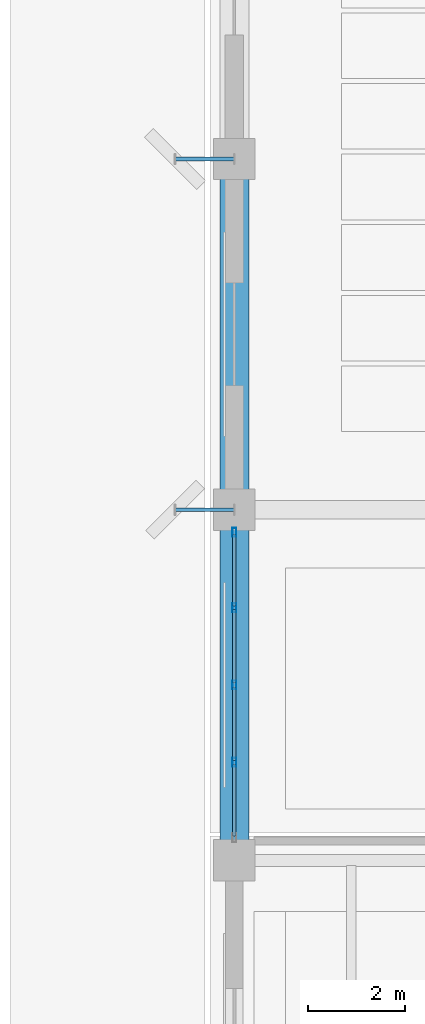
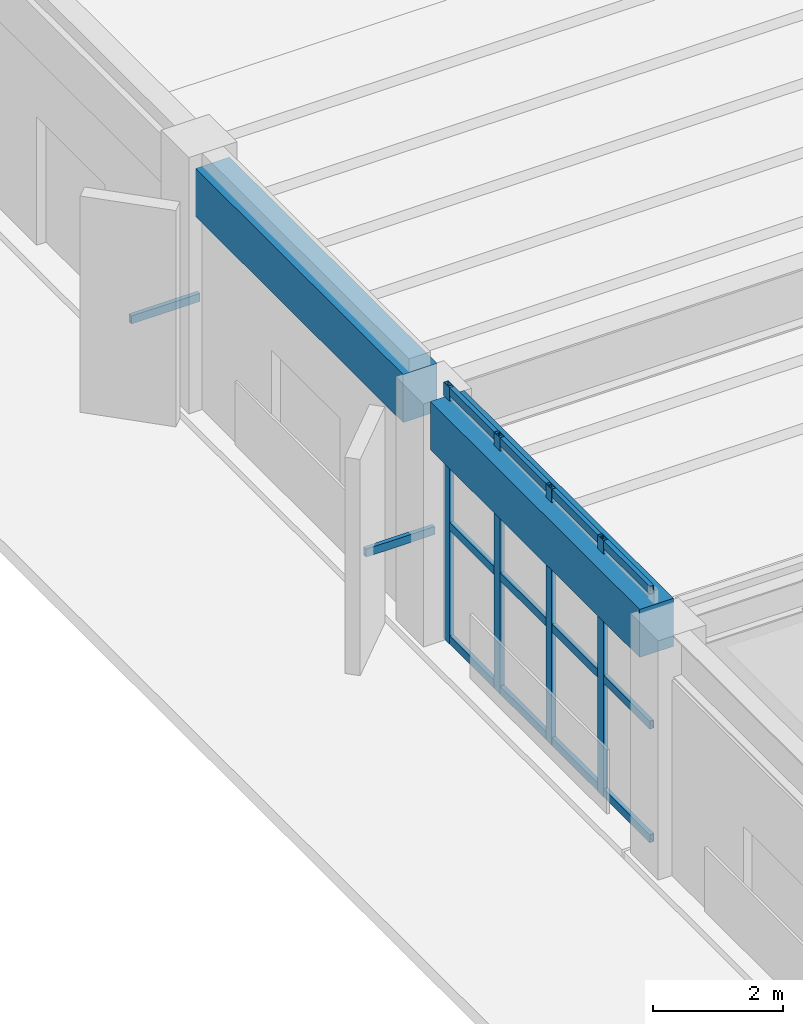
# One storey, part 14 of 39: 18 members, 2 beams, 1 element without a shape of its own.
"""IFC4 building model written with IfcOpenShell, lengths in metres."""

from ifc_helpers import new_model, si_unit, direction, frame, origin, origin_2d, place, context, subcontext, project, spatial, rectangle, hollow_rectangle, extrude, material, layer, layer_set, material_profile, profile_set, type_object, element, aggregate, save


model = new_model("IFC4")

# Units and contexts
model_context = context("Model", 3, precision=1e-05, world=origin(), true_north=direction((0.0, 1.0)))
body_context = subcontext(model_context, "Body", "Model", "MODEL_VIEW")
ifc_project = project(units=[si_unit("LENGTHUNIT", "METRE"), si_unit("AREAUNIT", "SQUARE_METRE"), si_unit("VOLUMEUNIT", "CUBIC_METRE"), si_unit("PLANEANGLEUNIT", "RADIAN"), si_unit("MASSUNIT", "GRAM", prefix="KILO")], contexts=[model_context])

# Site, building, storey
site_placement = place(None, origin())
site = spatial("IfcSite", under=ifc_project, at=site_placement, CompositionType="ELEMENT")
building_placement = place(site_placement, origin())
building = spatial("IfcBuilding", under=site, at=building_placement, Name="Kandorven Conservatory and Botanical Research Centre", CompositionType="ELEMENT")
storey_placement = place(building_placement, origin())
storey = spatial("IfcBuildingStorey", under=building, at=storey_placement, Name="L00", CompositionType="ELEMENT", Elevation=0.0)

# Beams
ifc_material_1 = material(Name="Concrete C40/50 (M50)", Category="concrete")
ifc_material_profile_1 = material_profile(ifc_material_1, rectangle(XDim=0.60009765625, YDim=0.89990234375, at=origin_2d()))
ifc_profile_set_1 = profile_set([ifc_material_profile_1], Name="Concrete C40/50 (M50)")
beam_type = type_object("IfcBeamType", Name="Beam_CG-03", PredefinedType="SPANDREL", material=ifc_profile_set_1)
beam_1_placement = place(storey_placement, frame((6.0, 35.159912109375, 4.10009765625), z_axis=(0.0, 1.0, 0.0), x_axis=(-1.0, 0.0, 0.0)))
element("IfcBeam", 1, at=beam_1_placement, inside=storey, type_object=beam_type, Name="Auditorium longitudinal edge beam CG-03 L00", PredefinedType="SPANDREL", context=body_context, shape_type="SweptSolid", body=[
    extrude(rectangle(XDim=0.60009765625, YDim=0.89990234375, at=origin_2d()), origin(), (0.0, 0.0, 1.0), 6.425048828125),
])
beam_2_placement = place(storey_placement, frame((6.0, 42.4150390625, 4.10009765625), z_axis=(0.0, 1.0, 0.0), x_axis=(-1.0, 0.0, 0.0)))
element("IfcBeam", 2, at=beam_2_placement, inside=storey, type_object=beam_type, Name="Auditorium longitudinal edge beam CG-03 L00", PredefinedType="SPANDREL", context=body_context, shape_type="SweptSolid", body=[
    extrude(rectangle(XDim=0.60009765625, YDim=0.89990234375, at=origin_2d()), origin(), (0.0, 0.0, 1.0), 6.369873046875),
])

# Curtain wall, members
ifc_material_2 = material(Name="Bronze anodised thermally broken aluminium", Category="aluminium")
ifc_layer = layer(ifc_material_2, 0.179931640625)
ifc_layer_set = layer_set([ifc_layer], Name="Bronze anodised thermally broken aluminium")
curtain_wall_type = type_object("IfcCurtainWallType", Name="CW_Unitised", PredefinedType="USERDEFINED", material=ifc_layer_set)
curtain_wall_placement = place(storey_placement, origin())
curtain_wall = element("IfcCurtainWall", 3, at=curtain_wall_placement, inside=storey, type_object=curtain_wall_type, Name="Auditorium foyer curtain wall CW-AUD-L00-1", ObjectType="UNITISED GLAZING", PredefinedType="USERDEFINED")
ifc_material_3 = material(Name="Bronze anodised thermally broken aluminium", Category="aluminium")
ifc_material_profile_2 = material_profile(ifc_material_3, hollow_rectangle(XDim=0.080078125, YDim=0.179931640625, WallThickness=0.006103515625, at=origin_2d()))
ifc_profile_set_2 = profile_set([ifc_material_profile_2], Name="Bronze anodised thermally broken aluminium")
member_type_1 = type_object("IfcMemberType", Name="CW_Mullion", PredefinedType="MULLION", material=ifc_profile_set_2)
member_1_placement = place(storey_placement, frame((6.0, 36.8125, 0.0), z_axis=(0.0, 0.0, 1.0), x_axis=(-1.0, 0.0, 0.0)))
member_1 = element("IfcMember", 4, at=member_1_placement, type_object=member_type_1, Name="CW-01 mullion 2", PredefinedType="MULLION", context=body_context, shape_type="SweptSolid", body=[
    extrude(hollow_rectangle(XDim=0.080078125, YDim=0.179931640625, WallThickness=0.006103515625, at=origin_2d()), origin(), (0.0, 0.0, 1.0), 4.800048828125),
])
member_2_placement = place(storey_placement, frame((6.0, 38.39990234375, 0.0), z_axis=(0.0, 0.0, 1.0), x_axis=(-1.0, 0.0, 0.0)))
member_2 = element("IfcMember", 5, at=member_2_placement, type_object=member_type_1, Name="CW-01 mullion 3", PredefinedType="MULLION", context=body_context, shape_type="SweptSolid", body=[
    extrude(hollow_rectangle(XDim=0.080078125, YDim=0.179931640625, WallThickness=0.006103515625, at=origin_2d()), origin(), (0.0, 0.0, 1.0), 4.800048828125),
])
member_3_placement = place(storey_placement, frame((6.0, 39.987548828125, 0.0), z_axis=(0.0, 0.0, 1.0), x_axis=(-1.0, 0.0, 0.0)))
member_3 = element("IfcMember", 6, at=member_3_placement, type_object=member_type_1, Name="CW-01 mullion 4", PredefinedType="MULLION", context=body_context, shape_type="SweptSolid", body=[
    extrude(hollow_rectangle(XDim=0.080078125, YDim=0.179931640625, WallThickness=0.006103515625, at=origin_2d()), origin(), (0.0, 0.0, 1.0), 4.800048828125),
])
member_4_placement = place(storey_placement, frame((6.0, 41.534912109375, 0.0), z_axis=(0.0, 0.0, 1.0), x_axis=(-1.0, 0.0, 0.0)))
member_4 = element("IfcMember", 7, at=member_4_placement, type_object=member_type_1, Name="CW-01 mullion 5", PredefinedType="MULLION", context=body_context, shape_type="SweptSolid", body=[
    extrude(hollow_rectangle(XDim=0.080078125, YDim=0.179931640625, WallThickness=0.006103515625, at=origin_2d()), origin(), (0.0, 0.0, 1.0), 4.800048828125),
])
ifc_material_4 = material(Name="Bronze anodised thermally broken aluminium", Category="aluminium")
ifc_material_profile_3 = material_profile(ifc_material_4, hollow_rectangle(XDim=0.074951171875, YDim=0.14990234375, WallThickness=0.006103515625, at=origin_2d()))
ifc_profile_set_3 = profile_set([ifc_material_profile_3], Name="Bronze anodised thermally broken aluminium")
member_type_2 = type_object("IfcMemberType", Name="CW_Transom", PredefinedType="USERDEFINED", material=ifc_profile_set_3)
member_5_placement = place(storey_placement, frame((6.0, 35.304931640625, 0.074951171875), z_axis=(0.0, 1.0, 0.0), x_axis=(-1.0, 0.0, 0.0)))
member_5 = element("IfcMember", 8, at=member_5_placement, type_object=member_type_2, Name="CW-01 transom 1.1", ObjectType="TRANSOM", PredefinedType="USERDEFINED", context=body_context, shape_type="SweptSolid", body=[
    extrude(hollow_rectangle(XDim=0.074951171875, YDim=0.14990234375, WallThickness=0.006103515625, at=origin_2d()), origin(), (0.0, 0.0, 1.0), 1.467529296875),
])
member_6_placement = place(storey_placement, frame((6.0, 35.304931640625, 2.199951171875), z_axis=(0.0, 1.0, 0.0), x_axis=(-1.0, 0.0, 0.0)))
member_6 = element("IfcMember", 9, at=member_6_placement, type_object=member_type_2, Name="CW-01 transom 1.2", ObjectType="TRANSOM", PredefinedType="USERDEFINED", context=body_context, shape_type="SweptSolid", body=[
    extrude(hollow_rectangle(XDim=0.074951171875, YDim=0.14990234375, WallThickness=0.006103515625, at=origin_2d()), origin(), (0.0, 0.0, 1.0), 1.467529296875),
])
member_7_placement = place(storey_placement, frame((6.0, 35.304931640625, 4.72509765625), z_axis=(0.0, 1.0, 0.0), x_axis=(-1.0, 0.0, 0.0)))
member_7 = element("IfcMember", 10, at=member_7_placement, type_object=member_type_2, Name="CW-01 transom 1.3", ObjectType="TRANSOM", PredefinedType="USERDEFINED", context=body_context, shape_type="SweptSolid", body=[
    extrude(hollow_rectangle(XDim=0.074951171875, YDim=0.14990234375, WallThickness=0.006103515625, at=origin_2d()), origin(), (0.0, 0.0, 1.0), 1.467529296875),
])
member_8_placement = place(storey_placement, frame((6.0, 36.8525390625, 0.074951171875), z_axis=(0.0, 1.0, 0.0), x_axis=(-1.0, 0.0, 0.0)))
member_8 = element("IfcMember", 11, at=member_8_placement, type_object=member_type_2, Name="CW-01 transom 2.1", ObjectType="TRANSOM", PredefinedType="USERDEFINED", context=body_context, shape_type="SweptSolid", body=[
    extrude(hollow_rectangle(XDim=0.074951171875, YDim=0.14990234375, WallThickness=0.006103515625, at=origin_2d()), origin(), (0.0, 0.0, 1.0), 1.507568359375),
])
member_9_placement = place(storey_placement, frame((6.0, 36.8525390625, 2.199951171875), z_axis=(0.0, 1.0, 0.0), x_axis=(-1.0, 0.0, 0.0)))
member_9 = element("IfcMember", 12, at=member_9_placement, type_object=member_type_2, Name="CW-01 transom 2.2", ObjectType="TRANSOM", PredefinedType="USERDEFINED", context=body_context, shape_type="SweptSolid", body=[
    extrude(hollow_rectangle(XDim=0.074951171875, YDim=0.14990234375, WallThickness=0.006103515625, at=origin_2d()), origin(), (0.0, 0.0, 1.0), 1.507568359375),
])
member_10_placement = place(storey_placement, frame((6.0, 36.8525390625, 4.72509765625), z_axis=(0.0, 1.0, 0.0), x_axis=(-1.0, 0.0, 0.0)))
member_10 = element("IfcMember", 13, at=member_10_placement, type_object=member_type_2, Name="CW-01 transom 2.3", ObjectType="TRANSOM", PredefinedType="USERDEFINED", context=body_context, shape_type="SweptSolid", body=[
    extrude(hollow_rectangle(XDim=0.074951171875, YDim=0.14990234375, WallThickness=0.006103515625, at=origin_2d()), origin(), (0.0, 0.0, 1.0), 1.507568359375),
])
member_11_placement = place(storey_placement, frame((6.0, 38.43994140625, 0.074951171875), z_axis=(0.0, 1.0, 0.0), x_axis=(-1.0, 0.0, 0.0)))
member_11 = element("IfcMember", 14, at=member_11_placement, type_object=member_type_2, Name="CW-01 transom 3.1", ObjectType="TRANSOM", PredefinedType="USERDEFINED", context=body_context, shape_type="SweptSolid", body=[
    extrude(hollow_rectangle(XDim=0.074951171875, YDim=0.14990234375, WallThickness=0.006103515625, at=origin_2d()), origin(), (0.0, 0.0, 1.0), 1.507568359375),
])
member_12_placement = place(storey_placement, frame((6.0, 38.43994140625, 2.199951171875), z_axis=(0.0, 1.0, 0.0), x_axis=(-1.0, 0.0, 0.0)))
member_12 = element("IfcMember", 15, at=member_12_placement, type_object=member_type_2, Name="CW-01 transom 3.2", ObjectType="TRANSOM", PredefinedType="USERDEFINED", context=body_context, shape_type="SweptSolid", body=[
    extrude(hollow_rectangle(XDim=0.074951171875, YDim=0.14990234375, WallThickness=0.006103515625, at=origin_2d()), origin(), (0.0, 0.0, 1.0), 1.507568359375),
])
member_13_placement = place(storey_placement, frame((6.0, 38.43994140625, 4.72509765625), z_axis=(0.0, 1.0, 0.0), x_axis=(-1.0, 0.0, 0.0)))
member_13 = element("IfcMember", 16, at=member_13_placement, type_object=member_type_2, Name="CW-01 transom 3.3", ObjectType="TRANSOM", PredefinedType="USERDEFINED", context=body_context, shape_type="SweptSolid", body=[
    extrude(hollow_rectangle(XDim=0.074951171875, YDim=0.14990234375, WallThickness=0.006103515625, at=origin_2d()), origin(), (0.0, 0.0, 1.0), 1.507568359375),
])
member_14_placement = place(storey_placement, frame((6.0, 40.027587890625, 0.074951171875), z_axis=(0.0, 1.0, 0.0), x_axis=(-1.0, 0.0, 0.0)))
member_14 = element("IfcMember", 17, at=member_14_placement, type_object=member_type_2, Name="CW-01 transom 4.1", ObjectType="TRANSOM", PredefinedType="USERDEFINED", context=body_context, shape_type="SweptSolid", body=[
    extrude(hollow_rectangle(XDim=0.074951171875, YDim=0.14990234375, WallThickness=0.006103515625, at=origin_2d()), origin(), (0.0, 0.0, 1.0), 1.467529296875),
])
member_15_placement = place(storey_placement, frame((6.0, 40.027587890625, 2.199951171875), z_axis=(0.0, 1.0, 0.0), x_axis=(-1.0, 0.0, 0.0)))
member_15 = element("IfcMember", 18, at=member_15_placement, type_object=member_type_2, Name="CW-01 transom 4.2", ObjectType="TRANSOM", PredefinedType="USERDEFINED", context=body_context, shape_type="SweptSolid", body=[
    extrude(hollow_rectangle(XDim=0.074951171875, YDim=0.14990234375, WallThickness=0.006103515625, at=origin_2d()), origin(), (0.0, 0.0, 1.0), 1.467529296875),
])
member_16_placement = place(storey_placement, frame((6.0, 40.027587890625, 4.72509765625), z_axis=(0.0, 1.0, 0.0), x_axis=(-1.0, 0.0, 0.0)))
member_16 = element("IfcMember", 19, at=member_16_placement, type_object=member_type_2, Name="CW-01 transom 4.3", ObjectType="TRANSOM", PredefinedType="USERDEFINED", context=body_context, shape_type="SweptSolid", body=[
    extrude(hollow_rectangle(XDim=0.074951171875, YDim=0.14990234375, WallThickness=0.006103515625, at=origin_2d()), origin(), (0.0, 0.0, 1.0), 1.467529296875),
])
aggregate(curtain_wall, [member_1, member_2, member_3, member_4, member_5, member_6, member_7, member_8, member_9, member_10, member_11, member_12, member_13, member_14, member_15, member_16])

# Members
ifc_material_5 = material(Name="Steel S355 (IS 2062 E350)", Category="steel")
ifc_material_profile_4 = material_profile(ifc_material_5, hollow_rectangle(XDim=0.074951171875, YDim=0.14990234375, WallThickness=0.006103515625, at=origin_2d()))
ifc_profile_set_4 = profile_set([ifc_material_profile_4], Name="Steel S355 (IS 2062 E350)")
member_type_3 = type_object("IfcMemberType", Name="Mem_SF-01", PredefinedType="STRUT", material=ifc_profile_set_4)
for number, where, z_axis, x_axis, name in (
    (20, (6.0, 42.0, 1.800048828125), (-1.0, 0.0, 0.0), (0.0, -1.0, 0.0), "Auditorium fin steel strut SF-01 #1"),
    (21, (6.0, 49.199951171875, 1.800048828125), (-1.0, 0.0, 0.0), (0.0, -1.0, 0.0), "Auditorium fin steel strut SF-01 #2"),
):
    element("IfcMember", number, at=place(storey_placement, frame(where, z_axis=z_axis, x_axis=x_axis)), inside=storey, type_object=member_type_3, Name=name, PredefinedType="STRUT", context=body_context, shape_type="SweptSolid", body=[
        extrude(hollow_rectangle(XDim=0.074951171875, YDim=0.14990234375, WallThickness=0.006103515625, at=origin_2d()), origin(), (0.0, 0.0, 1.0), 1.219970703125),
    ])

save(model, "model.ifc")
